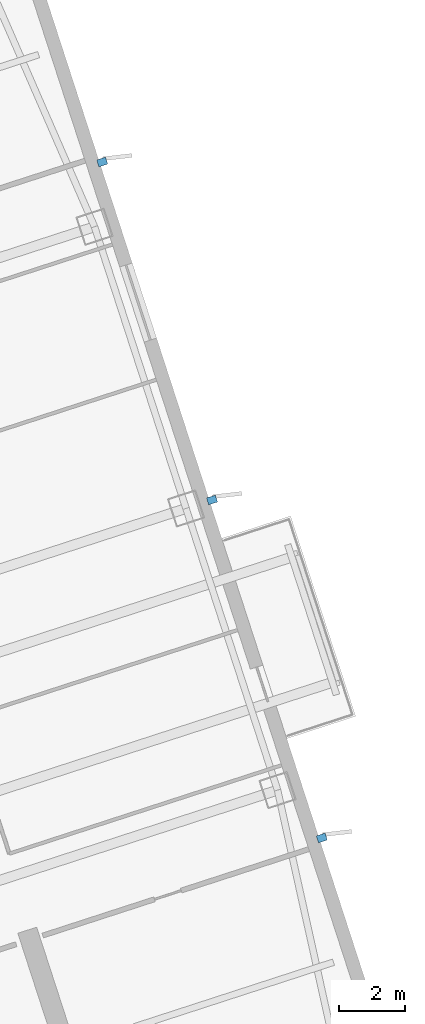
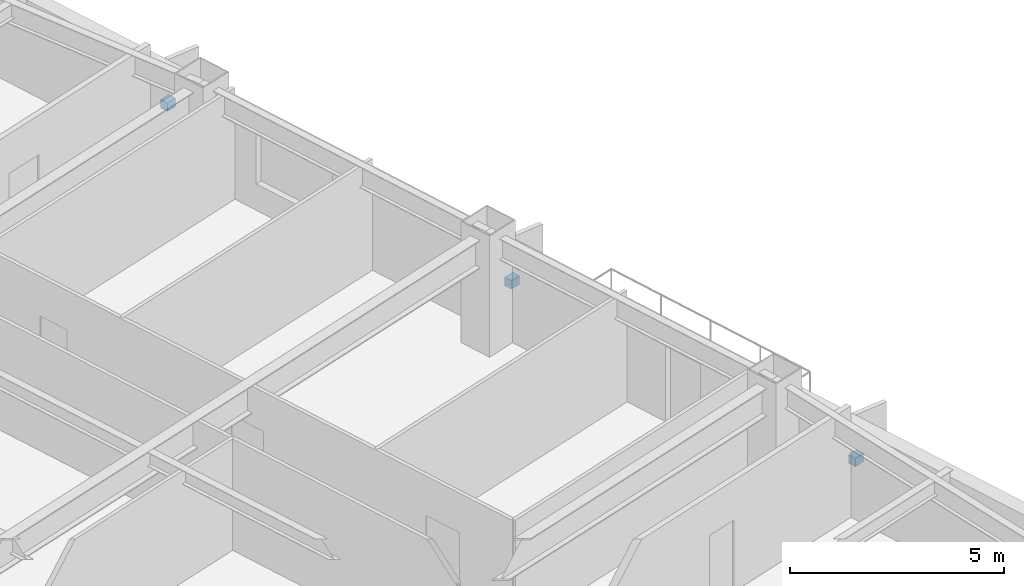
# One storey, part 11 of 16: 3 discrete accessories.
"""IFC4 building model written with IfcOpenShell, lengths in metres."""

from ifc_helpers import new_model, si_unit, direction, frame, origin, origin_2d, place, context, subcontext, project, spatial, rectangle, extrude, material, type_object, element, save


model = new_model("IFC4")

# Units and contexts
model_context = context("Model", 3, precision=1e-05, world=origin(), true_north=direction((0.0, 1.0)))
body_context = subcontext(model_context, "Body", "Model", "MODEL_VIEW")
ifc_project = project(units=[si_unit("LENGTHUNIT", "METRE"), si_unit("AREAUNIT", "SQUARE_METRE"), si_unit("VOLUMEUNIT", "CUBIC_METRE"), si_unit("PLANEANGLEUNIT", "RADIAN"), si_unit("MASSUNIT", "GRAM", prefix="KILO")], contexts=[model_context])

# Site, building, storey
site_placement = place(None, origin())
site = spatial("IfcSite", under=ifc_project, at=site_placement, CompositionType="ELEMENT")
building_placement = place(site_placement, origin())
building = spatial("IfcBuilding", under=site, at=building_placement, Name="Qiaolan Cultural Towers", CompositionType="ELEMENT")
storey_placement = place(building_placement, frame((0.0, 0.0, 110.39990234375)))
storey = spatial("IfcBuildingStorey", under=building, at=storey_placement, Name="L28", CompositionType="ELEMENT", Elevation=110.39990234375)

# Discrete accessories
ifc_material = material(Name="Stainless Steel S31608 Facade Anchor Bracket", Category="steel")
discrete_accessory_type = type_object("IfcDiscreteAccessoryType", Name="ACC-BRK-SS", PredefinedType="BRACKET", material=ifc_material)
for number, where, z_axis, x_axis, name in (
    (1, (110.056884765625, 29.1611328125, 1.18505859375), (0.0, 0.0, 1.0), (0.951056516295, 0.309016994375, 0.0), "L28 T2 Facade Fin Anchor Bracket E1"),
    (2, (106.719482421875, 39.4326171875, 1.18505859375), (0.0, 0.0, 1.0), (0.951056516295, 0.309016994375, 0.0), "L28 T2 Facade Fin Anchor Bracket E2"),
    (3, (103.382080078125, 49.703857421875, 1.18505859375), (0.0, 0.0, 1.0), (0.951056516295, 0.309016994375, 0.0), "L28 T2 Facade Fin Anchor Bracket E3"),
):
    element("IfcDiscreteAccessory", number, at=place(storey_placement, frame(where, z_axis=z_axis, x_axis=x_axis)), inside=storey, type_object=discrete_accessory_type, Name=name, PredefinedType="BRACKET", context=body_context, shape_type="SweptSolid", body=[
        extrude(rectangle(XDim=0.280029296875, YDim=0.219970703125, at=origin_2d()), origin(), (0.0, 0.0, 1.0), 0.239990234375),
    ])

save(model, "model.ifc")
